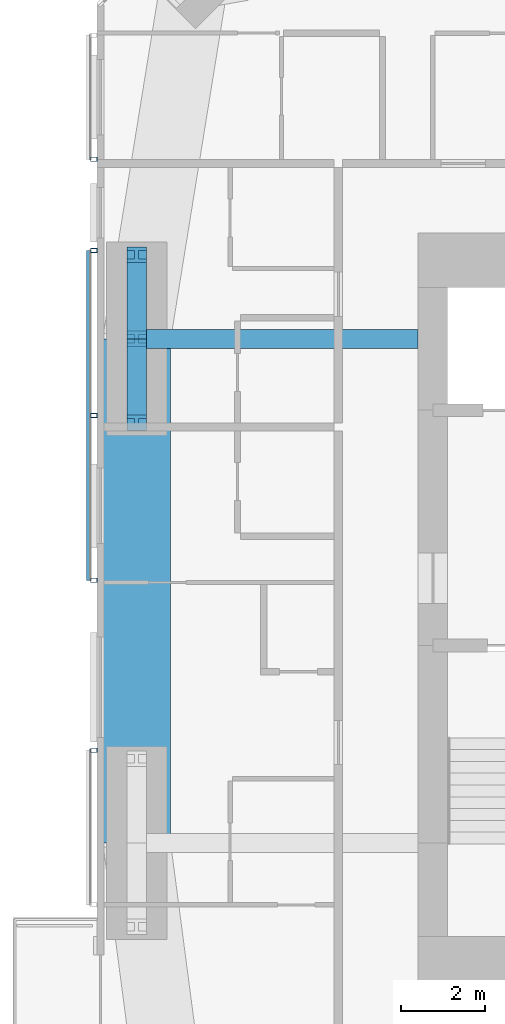
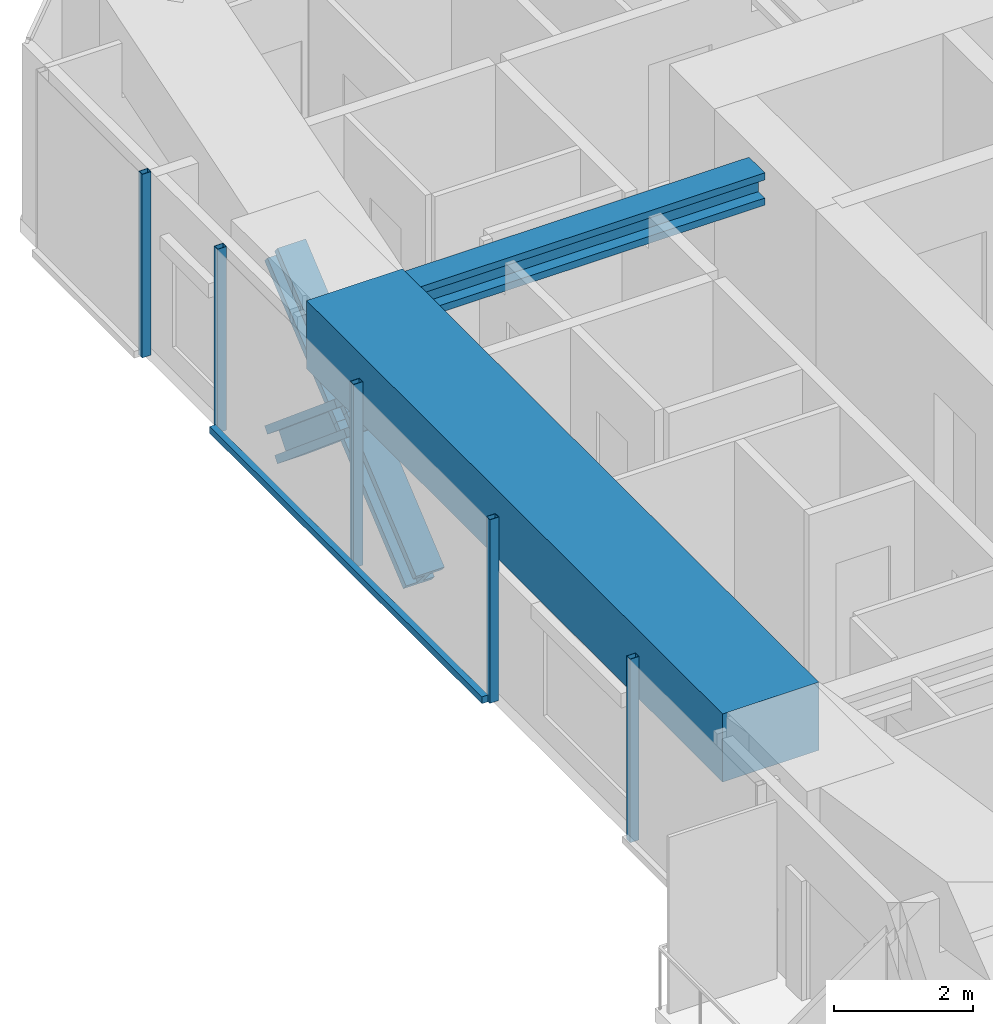
# One storey, part 5 of 23: 10 members, 2 beams, 3 elements without a shape of their own.
"""IFC4 building model written with IfcOpenShell, lengths in metres."""

from ifc_helpers import new_model, si_unit, direction, frame, origin, origin_2d, place, context, subcontext, project, spatial, rectangle, hollow_rectangle, i_section, extrude, material, material_profile, profile_set, type_object, element, aggregate, save


model = new_model("IFC4")

# Units and contexts
model_context = context("Model", 3, precision=1e-05, world=origin(), true_north=direction((0.0, 1.0)))
body_context = subcontext(model_context, "Body", "Model", "MODEL_VIEW")
ifc_project = project(units=[si_unit("LENGTHUNIT", "METRE"), si_unit("AREAUNIT", "SQUARE_METRE"), si_unit("VOLUMEUNIT", "CUBIC_METRE"), si_unit("PLANEANGLEUNIT", "RADIAN"), si_unit("MASSUNIT", "GRAM", prefix="KILO")], contexts=[model_context])

# Site, building, storey
site_placement = place(None, origin())
site = spatial("IfcSite", under=ifc_project, at=site_placement, CompositionType="ELEMENT")
building_placement = place(site_placement, origin())
building = spatial("IfcBuilding", under=site, at=building_placement, Name="Jalousie Tower", CompositionType="ELEMENT")
storey_placement = place(building_placement, frame((0.0, 0.0, 167.75)))
storey = spatial("IfcBuildingStorey", under=building, at=storey_placement, Name="L45", CompositionType="ELEMENT", Elevation=167.75)

# Beam
ifc_material_1 = material(Name="Steel ASTM A992 Grade 50", Category="steel")
ifc_material_profile_1 = material_profile(ifc_material_1, i_section(OverallWidth=0.45458984375, OverallDepth=0.569091796875, WebThickness=0.077880859375, FlangeThickness=0.124755859375, at=origin_2d()), Name="W14X730")
ifc_profile_set_1 = profile_set([ifc_material_profile_1], Name="Steel ASTM A992 Grade 50")
beam_type_1 = type_object("IfcBeamType", Name="LEAN COLLECTOR W14X730", PredefinedType="BEAM", material=ifc_profile_set_1)
beam_1_placement = place(storey_placement, frame((12.949951171875, 25.0, 2.825439453125), z_axis=(1.0, 0.0, 0.0), x_axis=(0.0, 1.0, 0.0)))
element("IfcBeam", 1, at=beam_1_placement, inside=storey, type_object=beam_type_1, Name="Lean collector under L46", PredefinedType="BEAM", context=body_context, shape_type="SweptSolid", body=[
    extrude(i_section(OverallWidth=0.45458984375, OverallDepth=0.569091796875, WebThickness=0.077880859375, FlangeThickness=0.124755859375, at=origin_2d()), origin(), (0.0, 0.0, 1.0), 6.699951171875),
])

# Members
ifc_material_2 = material(Name="Steel ASTM A992 Grade 50", Category="steel")
ifc_material_profile_2 = material_profile(ifc_material_2, i_section(OverallWidth=0.472412109375, OverallDepth=0.5791015625, WebThickness=0.094970703125, FlangeThickness=0.1298828125, at=origin_2d()), Name="W14X808")
ifc_profile_set_2 = profile_set([ifc_material_profile_2], Name="Steel ASTM A992 Grade 50")
member_type_1 = type_object("IfcMemberType", Name="PERIMETER BRACE W14X808", PredefinedType="BRACE", material=ifc_profile_set_2)
for number, where, z_axis, x_axis, name in (
    (2, (12.949951171875, 23.0, -0.60009765625), (0.0, 0.766638753323, 0.642078672674), (-1.0, 0.0, 0.0), "Perimeter brace 13 L45 part 1"),
    (3, (12.949951171875, 25.0, 1.074951171875), (0.0, 0.766638753323, 0.642078672674), (-1.0, 0.0, 0.0), "Perimeter brace 13 L45 part 2"),
    (4, (12.949951171875, 27.0, -0.60009765625), (0.0, -0.766638753323, 0.642078672674), (1.0, 0.0, 0.0), "Perimeter brace 13 L45 part 3"),
    (5, (12.949951171875, 25.0, 1.074951171875), (0.0, -0.766638753323, 0.642078672674), (1.0, 0.0, 0.0), "Perimeter brace 13 L45 part 4"),
):
    element("IfcMember", number, at=place(storey_placement, frame(where, z_axis=z_axis, x_axis=x_axis)), inside=storey, type_object=member_type_1, Name=name, PredefinedType="BRACE", context=body_context, shape_type="SweptSolid", body=[
        extrude(i_section(OverallWidth=0.472412109375, OverallDepth=0.5791015625, WebThickness=0.094970703125, FlangeThickness=0.1298828125, at=origin_2d()), origin(), (0.0, 0.0, 1.0), 2.60888671875),
    ])

# Beam
ifc_material_3 = material(Name="Concrete f'c 40 MPa", Category="concrete")
ifc_material_profile_3 = material_profile(ifc_material_3, rectangle(XDim=1.60009765625, YDim=1.199951171875, at=origin_2d()), Name="RC 1600x1200")
ifc_profile_set_3 = profile_set([ifc_material_profile_3], Name="Concrete f'c 40 MPa")
beam_type_2 = type_object("IfcBeamType", Name="RC BEAM 1600x1200", PredefinedType="BEAM", material=ifc_profile_set_3)
beam_2_placement = place(storey_placement, frame((12.949951171875, 25.0, 2.75), z_axis=(0.0, -1.0, 0.0), x_axis=(1.0, 0.0, 0.0)))
element("IfcBeam", 6, at=beam_2_placement, inside=storey, type_object=beam_type_2, Name="Edge band beam 13-14 under L46", PredefinedType="BEAM", context=body_context, shape_type="SweptSolid", body=[
    extrude(rectangle(XDim=1.60009765625, YDim=1.199951171875, at=origin_2d()), origin(), (0.0, 0.0, 1.0), 12.0),
])

# Curtain wall, member
ifc_material_4 = material(Name="Perforated aluminium sheet", Category="aluminium")
curtain_wall_type = type_object("IfcCurtainWallType", Name="SOLAR SCREEN SS-1", PredefinedType="USERDEFINED", material=ifc_material_4)
curtain_wall_1_placement = place(storey_placement, origin())
curtain_wall_1 = element("IfcCurtainWall", 7, at=curtain_wall_1_placement, inside=storey, type_object=curtain_wall_type, Name="Solar screen L45", ObjectType="SOLAR SCREEN SS-1", PredefinedType="USERDEFINED")
ifc_material_5 = material(Name="Steel ASTM A500 Grade C", Category="steel")
ifc_material_profile_4 = material_profile(ifc_material_5, hollow_rectangle(XDim=0.1015625, YDim=0.15234375, WallThickness=0.00634765625, at=origin_2d()), Name="HSS6X4X1/4")
ifc_profile_set_4 = profile_set([ifc_material_profile_4], Name="Steel ASTM A500 Grade C")
member_type_2 = type_object("IfcMemberType", Name="SOLAR SCREEN SS-1 MULLION", PredefinedType="MULLION", material=ifc_profile_set_4)
member_1_placement = place(storey_placement, frame((11.9287109375, 29.27490234375, -0.1201171875), z_axis=(0.0, 0.0, 1.0), x_axis=(0.0, -1.0, 0.0)))
member_1 = element("IfcMember", 8, at=member_1_placement, type_object=member_type_2, Name="SS1 post 2", PredefinedType="MULLION", context=body_context, shape_type="SweptSolid", body=[
    extrude(hollow_rectangle(XDim=0.1015625, YDim=0.15234375, WallThickness=0.00634765625, at=origin_2d()), origin(), (0.0, 0.0, 1.0), 3.230224609375),
])
aggregate(curtain_wall_1, [member_1])

# Curtain wall, members
curtain_wall_2_placement = place(storey_placement, origin())
curtain_wall_2 = element("IfcCurtainWall", 9, at=curtain_wall_2_placement, inside=storey, type_object=curtain_wall_type, Name="Solar screen L45", ObjectType="SOLAR SCREEN SS-1", PredefinedType="USERDEFINED")
member_2_placement = place(storey_placement, frame((11.9287109375, 27.10009765625, -0.1201171875), z_axis=(0.0, 0.0, 1.0), x_axis=(0.0, -1.0, 0.0)))
member_2 = element("IfcMember", 10, at=member_2_placement, type_object=member_type_2, Name="SS1 post 1", PredefinedType="MULLION", context=body_context, shape_type="SweptSolid", body=[
    extrude(hollow_rectangle(XDim=0.1015625, YDim=0.15234375, WallThickness=0.00634765625, at=origin_2d()), origin(), (0.0, 0.0, 1.0), 3.230224609375),
])
member_3_placement = place(storey_placement, frame((11.9287109375, 23.175048828125, -0.1201171875), z_axis=(0.0, 0.0, 1.0), x_axis=(0.0, -1.0, 0.0)))
member_3 = element("IfcMember", 11, at=member_3_placement, type_object=member_type_2, Name="SS1 post 2", PredefinedType="MULLION", context=body_context, shape_type="SweptSolid", body=[
    extrude(hollow_rectangle(XDim=0.1015625, YDim=0.15234375, WallThickness=0.00634765625, at=origin_2d()), origin(), (0.0, 0.0, 1.0), 3.230224609375),
])
member_4_placement = place(storey_placement, frame((11.9287109375, 19.25, -0.1201171875), z_axis=(0.0, 0.0, 1.0), x_axis=(0.0, -1.0, 0.0)))
member_4 = element("IfcMember", 12, at=member_4_placement, type_object=member_type_2, Name="SS1 post 3", PredefinedType="MULLION", context=body_context, shape_type="SweptSolid", body=[
    extrude(hollow_rectangle(XDim=0.1015625, YDim=0.15234375, WallThickness=0.00634765625, at=origin_2d()), origin(), (0.0, 0.0, 1.0), 3.230224609375),
])

# Curtain wall, member
curtain_wall_3_placement = place(storey_placement, origin())
curtain_wall_3 = element("IfcCurtainWall", 13, at=curtain_wall_3_placement, inside=storey, type_object=curtain_wall_type, Name="Solar screen L45", ObjectType="SOLAR SCREEN SS-1", PredefinedType="USERDEFINED")
member_5_placement = place(storey_placement, frame((11.9287109375, 15.205078125, -0.1201171875), z_axis=(0.0, 0.0, 1.0), x_axis=(0.0, -1.0, 0.0)))
member_5 = element("IfcMember", 14, at=member_5_placement, type_object=member_type_2, Name="SS1 post 1", PredefinedType="MULLION", context=body_context, shape_type="SweptSolid", body=[
    extrude(hollow_rectangle(XDim=0.1015625, YDim=0.15234375, WallThickness=0.00634765625, at=origin_2d()), origin(), (0.0, 0.0, 1.0), 3.230224609375),
])
aggregate(curtain_wall_3, [member_5])

# Member
ifc_material_6 = material(Name="Extruded aluminium screen rail", Category="aluminium")
ifc_material_profile_5 = material_profile(ifc_material_6, rectangle(XDim=0.1015625, YDim=0.1201171875, at=origin_2d()), Name="RAIL 102x120")
ifc_profile_set_5 = profile_set([ifc_material_profile_5], Name="Extruded aluminium screen rail")
member_type_3 = type_object("IfcMemberType", Name="SOLAR SCREEN SS-1 TRANSOM", PredefinedType="USERDEFINED", material=ifc_profile_set_5)
member_6_placement = place(storey_placement, frame((11.8017578125, 27.10009765625, -0.06005859375), z_axis=(0.0, -1.0, 0.0), x_axis=(1.0, 0.0, 0.0)))
member_6 = element("IfcMember", 15, at=member_6_placement, type_object=member_type_3, Name="SS1 rail", ObjectType="TRANSOM", PredefinedType="USERDEFINED", context=body_context, shape_type="SweptSolid", body=[
    extrude(rectangle(XDim=0.1015625, YDim=0.1201171875, at=origin_2d()), origin(), (0.0, 0.0, 1.0), 7.85009765625),
])

aggregate(curtain_wall_2, [member_2, member_3, member_4, member_6])

save(model, "model.ifc")
